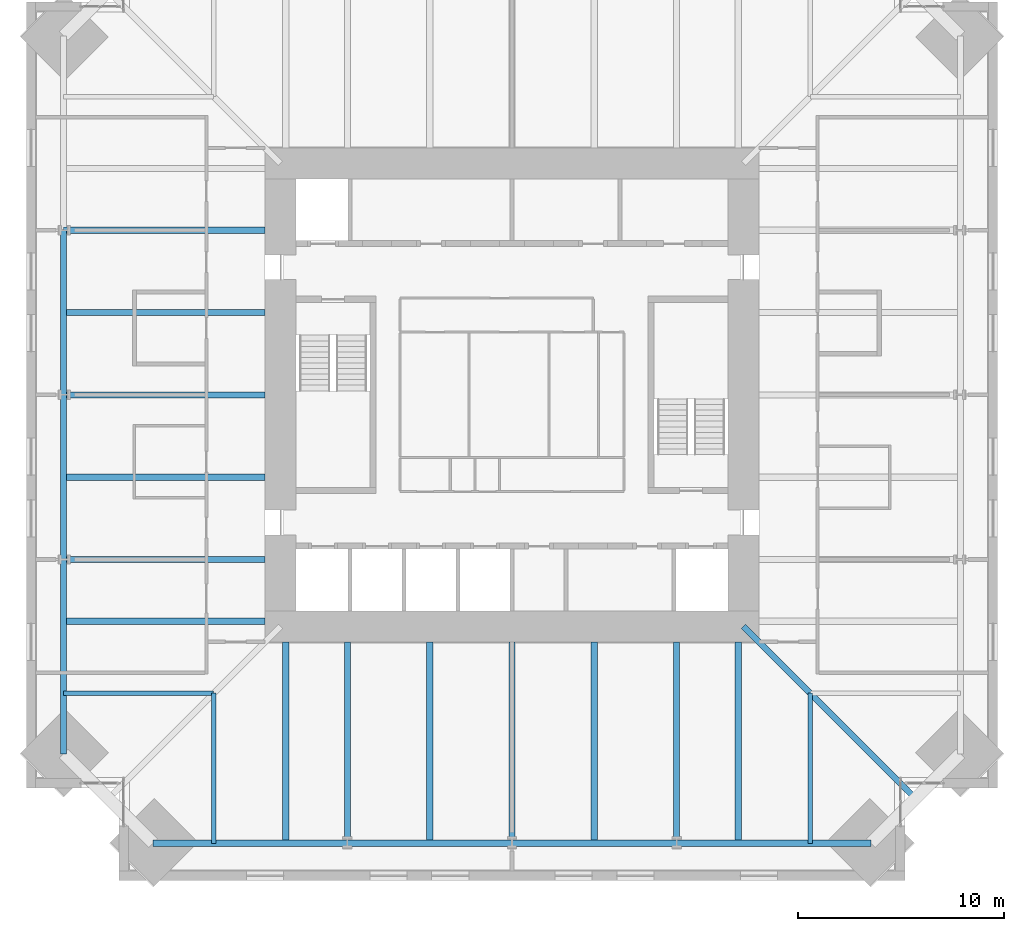
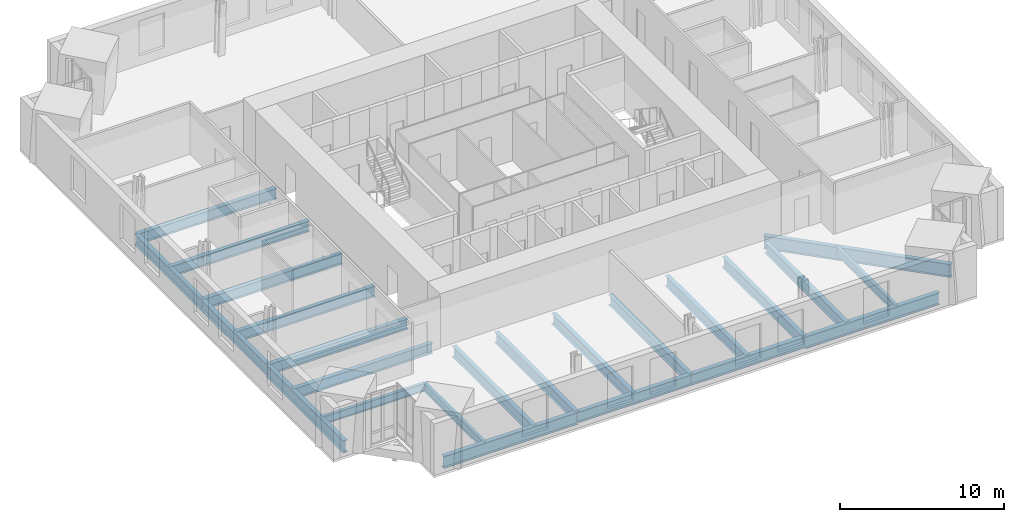
# One storey, part 3 of 15: 24 beams.
"""IFC4 building model written with IfcOpenShell, lengths in metres."""

from ifc_helpers import new_model, si_unit, direction, frame, origin, origin_2d, place, context, subcontext, project, spatial, i_section, extrude, material, material_profile, profile_set, type_object, element, save


model = new_model("IFC4")

# Units and contexts
model_context = context("Model", 3, precision=1e-05, world=origin(), true_north=direction((0.0, 1.0)))
body_context = subcontext(model_context, "Body", "Model", "MODEL_VIEW")
ifc_project = project(units=[si_unit("LENGTHUNIT", "METRE"), si_unit("AREAUNIT", "SQUARE_METRE"), si_unit("VOLUMEUNIT", "CUBIC_METRE"), si_unit("PLANEANGLEUNIT", "RADIAN"), si_unit("MASSUNIT", "GRAM", prefix="KILO")], contexts=[model_context])

# Site, building, storey
site_placement = place(None, origin())
site = spatial("IfcSite", under=ifc_project, at=site_placement, CompositionType="ELEMENT")
building_placement = place(site_placement, origin())
building = spatial("IfcBuilding", under=site, at=building_placement, Name="Peilmerk Tower", CompositionType="ELEMENT")
storey_placement = place(building_placement, frame((0.0, 0.0, 225.800048828125)))
storey = spatial("IfcBuildingStorey", under=building, at=storey_placement, Name="L49", CompositionType="ELEMENT", Elevation=225.800048828125)

# Beams
ifc_material = material(Name="Steel S355", Category="steel")
ifc_material_profile_1 = material_profile(ifc_material, i_section(OverallWidth=0.219970703125, OverallDepth=0.60009765625, WebThickness=0.011962890625, FlangeThickness=0.01904296875, at=origin_2d()), Name="IPE 600")
ifc_profile_set_1 = profile_set([ifc_material_profile_1], Name="Steel S355")
beam_type_1 = type_object("IfcBeamType", Name="B10 IPE 600 floor beam", PredefinedType="BEAM", material=ifc_profile_set_1)
for number, where, z_axis, x_axis, name in (
    (1, (14.5, -14.5, -0.469970703125), (0.0, -1.0, 0.0), (1.0, 0.0, 0.0), "Floor beam L49"),
    (2, (-14.5, -14.5, -0.469970703125), (0.0, -1.0, 0.0), (1.0, 0.0, 0.0), "Floor beam L49"),
    (3, (-14.5, -14.5, -0.469970703125), (-1.0, 0.0, 0.0), (0.0, -1.0, 0.0), "Floor beam L49"),
):
    element("IfcBeam", number, at=place(storey_placement, frame(where, z_axis=z_axis, x_axis=x_axis)), inside=storey, type_object=beam_type_1, Name=name, PredefinedType="BEAM", context=body_context, shape_type="SweptSolid", body=[
        extrude(i_section(OverallWidth=0.219970703125, OverallDepth=0.60009765625, WebThickness=0.011962890625, FlangeThickness=0.01904296875, at=origin_2d()), origin(), (0.0, 0.0, 1.0), 7.2919921875),
    ])
ifc_material_profile_2 = material_profile(ifc_material, i_section(OverallWidth=0.300048828125, OverallDepth=0.989990234375, WebThickness=0.0166015625, FlangeThickness=0.031005859375, at=origin_2d()), Name="HEA 1000")
ifc_profile_set_2 = profile_set([ifc_material_profile_2], Name="Steel S355")
beam_type_2 = type_object("IfcBeamType", Name="B14 HEA 1000 floor girder", PredefinedType="BEAM", material=ifc_profile_set_2)
beam_placement = place(storey_placement, frame((11.25, -11.25, -0.6650390625), z_axis=(0.707106781187, -0.707106781187, 0.0), x_axis=(0.707106781187, 0.707106781187, 0.0)))
element("IfcBeam", 4, at=beam_placement, inside=storey, type_object=beam_type_2, Name="Corner girder L49", PredefinedType="BEAM", context=body_context, shape_type="SweptSolid", body=[
    extrude(i_section(OverallWidth=0.300048828125, OverallDepth=0.989990234375, WebThickness=0.0166015625, FlangeThickness=0.031005859375, at=origin_2d()), origin(), (0.0, 0.0, 1.0), 11.832763671875),
])
ifc_material_profile_3 = material_profile(ifc_material, i_section(OverallWidth=0.302978515625, OverallDepth=0.81396484375, WebThickness=0.02099609375, FlangeThickness=0.0400390625, at=origin_2d()), Name="HEM 800")
ifc_profile_set_3 = profile_set([ifc_material_profile_3], Name="Steel S355")
beam_type_3 = type_object("IfcBeamType", Name="B15 HEM 800 edge beam", PredefinedType="SPANDREL", material=ifc_profile_set_3)
for number, where, z_axis, x_axis, name in (
    (5, (-8.0, -21.7919921875, -0.5771484375), (1.0, 0.0, 0.0), (0.0, 1.0, 0.0), "Edge beam L49"),
    (6, (0.0, -21.7919921875, -0.5771484375), (1.0, 0.0, 0.0), (0.0, 1.0, 0.0), "Edge beam L49"),
    (7, (-21.7919921875, 8.0, -0.5771484375), (0.0, -1.0, 0.0), (1.0, 0.0, 0.0), "Edge beam L49"),
    (8, (-21.7919921875, 0.0, -0.5771484375), (0.0, -1.0, 0.0), (1.0, 0.0, 0.0), "Edge beam L49"),
):
    element("IfcBeam", number, at=place(storey_placement, frame(where, z_axis=z_axis, x_axis=x_axis)), inside=storey, type_object=beam_type_3, Name=name, PredefinedType="SPANDREL", context=body_context, shape_type="SweptSolid", body=[
        extrude(i_section(OverallWidth=0.302978515625, OverallDepth=0.81396484375, WebThickness=0.02099609375, FlangeThickness=0.0400390625, at=origin_2d()), origin(), (0.0, 0.0, 1.0), 8.0),
    ])
ifc_material_profile_4 = material_profile(ifc_material, i_section(OverallWidth=0.302001953125, OverallDepth=0.909912109375, WebThickness=0.02099609375, FlangeThickness=0.0400390625, at=origin_2d()), Name="HEM 900")
ifc_profile_set_4 = profile_set([ifc_material_profile_4], Name="Steel S355")
beam_type_4 = type_object("IfcBeamType", Name="B2 HEM 900 edge beam", PredefinedType="SPANDREL", material=ifc_profile_set_4)
for number, where, z_axis, x_axis, name in (
    (9, (-17.44189453125, -21.7919921875, -0.625), (1.0, 0.0, 0.0), (0.0, 1.0, 0.0), "Edge beam L49"),
    (10, (8.0, -21.7919921875, -0.625), (1.0, 0.0, 0.0), (0.0, 1.0, 0.0), "Edge beam L49"),
    (11, (-21.7919921875, -8.0, -0.625), (0.0, -1.0, 0.0), (1.0, 0.0, 0.0), "Edge beam L49"),
):
    element("IfcBeam", number, at=place(storey_placement, frame(where, z_axis=z_axis, x_axis=x_axis)), inside=storey, type_object=beam_type_4, Name=name, PredefinedType="SPANDREL", context=body_context, shape_type="SweptSolid", body=[
        extrude(i_section(OverallWidth=0.302001953125, OverallDepth=0.909912109375, WebThickness=0.02099609375, FlangeThickness=0.0400390625, at=origin_2d()), origin(), (0.0, 0.0, 1.0), 9.44189453125),
    ])
ifc_material_profile_5 = material_profile(ifc_material, i_section(OverallWidth=0.300048828125, OverallDepth=0.7900390625, WebThickness=0.014892578125, FlangeThickness=0.028076171875, at=origin_2d()), Name="HEA 800")
ifc_profile_set_5 = profile_set([ifc_material_profile_5], Name="Steel S355")
beam_type_5 = type_object("IfcBeamType", Name="B3 HEA 800 floor beam", PredefinedType="BEAM", material=ifc_profile_set_5)
for number, where, z_axis, x_axis, name in (
    (12, (-11.0, -12.0, -0.56494140625), (0.0, -1.0, 0.0), (1.0, 0.0, 0.0), "Floor beam L49"),
    (13, (-8.0, -12.0, -0.56494140625), (0.0, -1.0, 0.0), (1.0, 0.0, 0.0), "Floor beam L49"),
    (14, (-4.0, -12.0, -0.56494140625), (0.0, -1.0, 0.0), (1.0, 0.0, 0.0), "Floor beam L49"),
    (15, (0.0, -12.0, -0.56494140625), (0.0, -1.0, 0.0), (1.0, 0.0, 0.0), "Floor beam L49"),
    (16, (4.0, -12.0, -0.56494140625), (0.0, -1.0, 0.0), (1.0, 0.0, 0.0), "Floor beam L49"),
    (17, (8.0, -12.0, -0.56494140625), (0.0, -1.0, 0.0), (1.0, 0.0, 0.0), "Floor beam L49"),
    (18, (11.0, -12.0, -0.56494140625), (0.0, -1.0, 0.0), (1.0, 0.0, 0.0), "Floor beam L49"),
    (19, (-12.0, 8.0, -0.56494140625), (-1.0, 0.0, 0.0), (0.0, -1.0, 0.0), "Floor beam L49"),
    (20, (-12.0, 4.0, -0.56494140625), (-1.0, 0.0, 0.0), (0.0, -1.0, 0.0), "Floor beam L49"),
    (21, (-12.0, 0.0, -0.56494140625), (-1.0, 0.0, 0.0), (0.0, -1.0, 0.0), "Floor beam L49"),
    (22, (-12.0, -4.0, -0.56494140625), (-1.0, 0.0, 0.0), (0.0, -1.0, 0.0), "Floor beam L49"),
    (23, (-12.0, -8.0, -0.56494140625), (-1.0, 0.0, 0.0), (0.0, -1.0, 0.0), "Floor beam L49"),
    (24, (-12.0, -11.0, -0.56494140625), (-1.0, 0.0, 0.0), (0.0, -1.0, 0.0), "Floor beam L49"),
):
    element("IfcBeam", number, at=place(storey_placement, frame(where, z_axis=z_axis, x_axis=x_axis)), inside=storey, type_object=beam_type_5, Name=name, PredefinedType="BEAM", context=body_context, shape_type="SweptSolid", body=[
        extrude(i_section(OverallWidth=0.300048828125, OverallDepth=0.7900390625, WebThickness=0.014892578125, FlangeThickness=0.028076171875, at=origin_2d()), origin(), (0.0, 0.0, 1.0), 9.7919921875),
    ])

save(model, "model.ifc")
